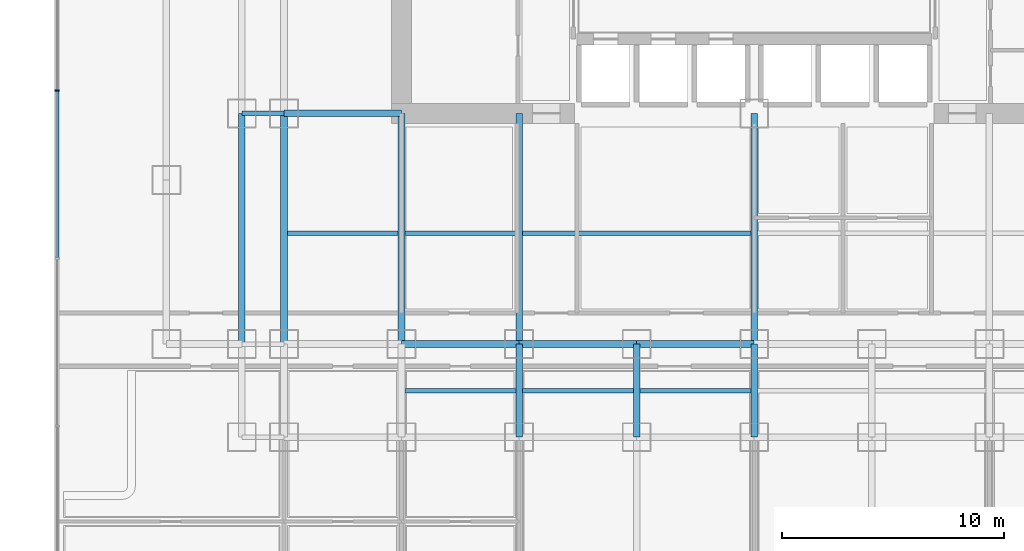
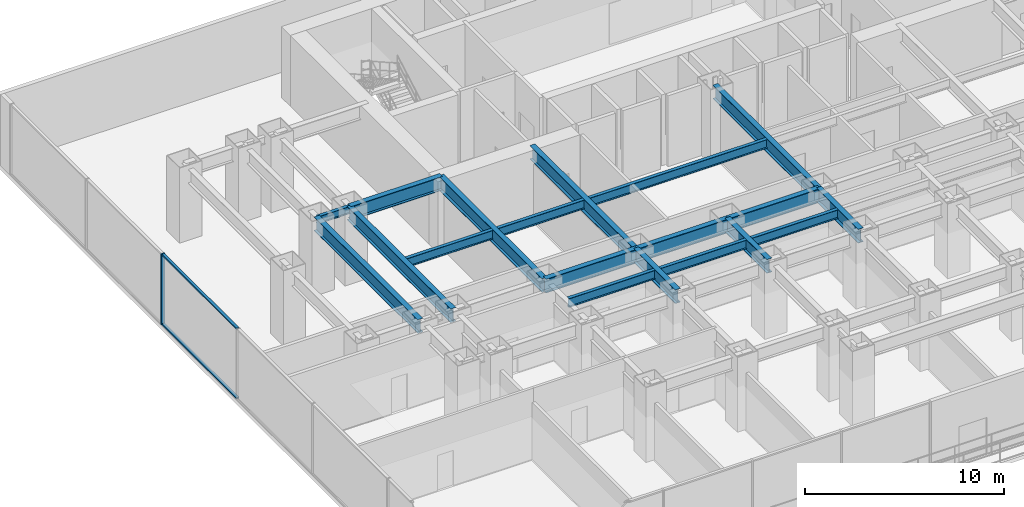
# One storey, part 3 of 13: 19 beams, 3 members, 1 element without a shape of its own.
"""IFC4 building model written with IfcOpenShell, lengths in metres."""

import ifcopenshell
import ifcopenshell.guid

model = None  # the IFC model being written
_history = None  # IfcOwnerHistory: only IFC2X3 demands one
_inside = {}  # id of a spatial element -> (the spatial element, [elements in it])
_under = {}  # id of a project, library or spatial element -> (it, [spatial elements below it])
_declared = {}  # id of a project -> (the project, [libraries it declares])
_typed = {}  # id of a type object -> (the type object, [elements of that type])
_made_of = {}  # id of a material, layer set ... -> (it, [elements and type objects made of it])


def new_model(schema):
    """Start an empty IFC model of exactly this schema.

    Asked for "IFC4X3", IfcOpenShell would pick the latest addendum, in which some entities
    have other attributes; the version numbers below select the first issue.
    IFC2X3 requires an IfcOwnerHistory on every rooted entity: one is made here for all.
    """
    global model, _history
    if schema == "IFC4X3":
        model = ifcopenshell.file(schema_version=(4, 3, 0, 0))
    else:
        model = ifcopenshell.file(schema=schema)
    _inside.clear()
    _under.clear()
    _declared.clear()
    _typed.clear()
    _made_of.clear()
    _history = None
    if model.schema == "IFC2X3":
        org = make("IfcOrganization", Name="unknown")
        user = make(
            "IfcPersonAndOrganization",
            ThePerson=make("IfcPerson", FamilyName="unknown"),
            TheOrganization=org,
        )
        app = make(
            "IfcApplication",
            ApplicationDeveloper=org,
            Version="unknown",
            ApplicationFullName="unknown",
            ApplicationIdentifier="unknown",
        )
        _history = make(
            "IfcOwnerHistory",
            OwningUser=user,
            OwningApplication=app,
            ChangeAction="ADDED",
            CreationDate=0,
        )
    return model


def make(cls, **values):
    """One entity of the class cls with the attributes given. An attribute that is None is left unset."""
    return model.create_entity(
        cls, **{name: value for name, value in values.items() if value is not None}
    )


def rooted(cls, **values):
    """An entity with a GlobalId (a new one), such as an element, a storey or a relation."""
    return make(cls, GlobalId=ifcopenshell.guid.new(), OwnerHistory=_history, **values)


def si_unit(unit_type, name, prefix=None):
    """IfcSIUnit, for example si_unit("LENGTHUNIT", "METRE", prefix="MILLI")."""
    return make("IfcSIUnit", UnitType=unit_type, Prefix=prefix, Name=name)


def assignment(units):
    """IfcUnitAssignment: the units of a project."""
    return None if units is None else make("IfcUnitAssignment", Units=units)


def point(xyz):
    """IfcCartesianPoint."""
    return None if xyz is None else make("IfcCartesianPoint", Coordinates=xyz)


def direction(xyz):
    """IfcDirection."""
    return None if xyz is None else make("IfcDirection", DirectionRatios=xyz)


def frame(location, z_axis=None, x_axis=None):
    """IfcAxis2Placement3D, a coordinate frame: its origin and axes. An axis left out is left unset."""
    return make(
        "IfcAxis2Placement3D",
        Location=point(location),
        Axis=direction(z_axis),
        RefDirection=direction(x_axis),
    )


def frame_2d(location, x_axis=None):
    """IfcAxis2Placement2D, a coordinate frame in the plane: its origin and x axis."""
    return make(
        "IfcAxis2Placement2D", Location=point(location), RefDirection=direction(x_axis)
    )


def origin():
    """The frame at (0, 0, 0) with its axes left unset."""
    return frame((0.0, 0.0, 0.0))


def origin_2d():
    """The frame at (0, 0) in the plane with its x axis left unset."""
    return frame_2d((0.0, 0.0))


def place(relative_to, where):
    """IfcLocalPlacement: puts the frame where relative to a parent placement (None: the world)."""
    return make(
        "IfcLocalPlacement", PlacementRelTo=relative_to, RelativePlacement=where
    )


def context(
    kind, dimensions, precision=None, world=None, true_north=None, identifier=None
):
    """IfcGeometricRepresentationContext, for example the 3D "Model" context."""
    return make(
        "IfcGeometricRepresentationContext",
        ContextIdentifier=identifier,
        ContextType=kind,
        CoordinateSpaceDimension=dimensions,
        Precision=precision,
        WorldCoordinateSystem=world,
        TrueNorth=true_north,
    )


def subcontext(parent, identifier, kind, view, scale=None):
    """IfcGeometricRepresentationSubContext, for example "Body" below "Model"."""
    return make(
        "IfcGeometricRepresentationSubContext",
        ContextIdentifier=identifier,
        ContextType=kind,
        ParentContext=parent,
        TargetScale=scale,
        TargetView=view,
    )


def project(units=None, contexts=None):
    """IfcProject with its units and contexts."""
    return rooted(
        "IfcProject",
        Name="project",
        RepresentationContexts=contexts,
        UnitsInContext=assignment(units),
    )


def spatial(cls, under=None, at=None, **own):
    """A site, building, storey or space (cls), placed at a placement, below another one or the project."""
    s = rooted(cls, ObjectPlacement=at, **own)
    if under is not None:
        _under.setdefault(under.id(), (under, []))[1].append(s)
    return s


def profile(cls, at=None, kind="AREA", **sizes):
    """A parametric profile (cls). Its sizes go by their IFC names, for example OverallWidth=200.0."""
    return make(cls, ProfileType=kind, Position=at, **sizes)


def rectangle(**sizes):
    """IfcRectangleProfileDef."""
    return profile("IfcRectangleProfileDef", **sizes)


def i_section(**sizes):
    """IfcIShapeProfileDef."""
    return profile("IfcIShapeProfileDef", **sizes)


def extrude(swept, where, along, depth):
    """IfcExtrudedAreaSolid: the profile swept, set in the frame where, extruded along a direction by depth."""
    return make(
        "IfcExtrudedAreaSolid",
        SweptArea=swept,
        Position=where,
        ExtrudedDirection=direction(along),
        Depth=depth,
    )


def shape(context_of_items, identifier, shape_type, items):
    """IfcShapeRepresentation: the items that make up one representation, for example the "Body"."""
    return make(
        "IfcShapeRepresentation",
        ContextOfItems=context_of_items,
        RepresentationIdentifier=identifier,
        RepresentationType=shape_type,
        Items=items,
    )


def source(mapping_origin, context_of_items, identifier, shape_type, items):
    """IfcRepresentationMap: a shape defined once, which mapped items show again and again."""
    return make(
        "IfcRepresentationMap",
        MappingOrigin=mapping_origin,
        MappedRepresentation=shape(context_of_items, identifier, shape_type, items),
    )


def transform(
    local_origin,
    x_axis=None,
    y_axis=None,
    z_axis=None,
    scale=None,
    scale2=None,
    scale3=None,
    uniform=True,
):
    """IfcCartesianTransformationOperator3D, or its non-uniform kind. x_axis, y_axis, z_axis: its Axis1, 2, 3."""
    if uniform:
        return make(
            "IfcCartesianTransformationOperator3D",
            Axis1=direction(x_axis),
            Axis2=direction(y_axis),
            LocalOrigin=point(local_origin),
            Scale=scale,
            Axis3=direction(z_axis),
        )
    return make(
        "IfcCartesianTransformationOperator3DnonUniform",
        Axis1=direction(x_axis),
        Axis2=direction(y_axis),
        LocalOrigin=point(local_origin),
        Scale=scale,
        Axis3=direction(z_axis),
        Scale2=scale2,
        Scale3=scale3,
    )


def mapped(mapping_source, mapping_target):
    """IfcMappedItem: shows the shape of a source again, moved by a transform."""
    return make(
        "IfcMappedItem", MappingSource=mapping_source, MappingTarget=mapping_target
    )


def material(Name=None, Category=None):
    """IfcMaterial."""
    return make("IfcMaterial", Name=Name, Category=Category)


def layer(
    of_material, thickness, ventilated=None, Name=None, Category=None, Priority=None
):
    """IfcMaterialLayer: one layer of a wall or slab, of a material (None: an air gap)."""
    return make(
        "IfcMaterialLayer",
        Material=of_material,
        LayerThickness=thickness,
        IsVentilated=ventilated,
        Name=Name,
        Category=Category,
        Priority=Priority,
    )


def layer_set(layers, Name=None):
    """IfcMaterialLayerSet."""
    return make("IfcMaterialLayerSet", MaterialLayers=layers, LayerSetName=Name)


def material_profile(
    of_material, cross_section, Name=None, Category=None, Priority=None
):
    """IfcMaterialProfile: a cross section and its material."""
    return make(
        "IfcMaterialProfile",
        Name=Name,
        Material=of_material,
        Profile=cross_section,
        Priority=Priority,
        Category=Category,
    )


def profile_set(profiles, Name=None, composite=None):
    """IfcMaterialProfileSet."""
    return make(
        "IfcMaterialProfileSet",
        Name=Name,
        MaterialProfiles=profiles,
        CompositeProfile=composite,
    )


def made_of(thing, what):
    """Note that an element or type object is made of a material, layer set ...; save() writes the relation."""
    if what is not None:
        _made_of.setdefault(what.id(), (what, []))[1].append(thing)
    return thing


def type_object(cls, material=None, **own):
    """A type object (cls), such as IfcWallType, which elements share."""
    return made_of(rooted(cls, **own), material)


def element(
    cls,
    number,
    at=None,
    inside=None,
    cuts=None,
    type_object=None,
    material=None,
    context=None,
    identifier="Body",
    shape_type=None,
    held_by="IfcProductDefinitionShape",
    body=None,
    shapes=None,
    **own,
):
    """One element of the class cls, such as IfcWall. Its Tag is "e" and its number.

    at: its placement. inside: the storey or other place that contains it. cuts: it is an
    opening in that element (IfcRelVoidsElement). A single representation is given by context,
    identifier, shape_type and body (its items); several are given by shapes. held_by: the class
    of the entity that holds the representations. save() writes the other relations.
    """
    e = rooted(cls, Tag="e%d" % number, ObjectPlacement=at, **own)
    if body is not None:
        shapes = [shape(context, identifier, shape_type, body)]
    if shapes is not None:
        e.Representation = make(held_by, Representations=shapes)
    if inside is not None:
        _inside.setdefault(inside.id(), (inside, []))[1].append(e)
    if cuts is not None:
        rooted(
            "IfcRelVoidsElement", RelatingBuildingElement=cuts, RelatedOpeningElement=e
        )
    if type_object is not None:
        _typed.setdefault(type_object.id(), (type_object, []))[1].append(e)
    return made_of(e, material)


def aggregate(whole, parts):
    """IfcRelAggregates: a whole, such as a stair, and the parts it consists of."""
    return rooted("IfcRelAggregates", RelatingObject=whole, RelatedObjects=parts)


def save(model, path):
    """Write the relations noted so far, then the file.

    IfcRelAggregates (storeys below a building ...), IfcRelContainedInSpatialStructure (elements
    in a storey), IfcRelDefinesByType, IfcRelAssociatesMaterial and IfcRelDeclares: one each for
    every whole, place, type object, material and project.
    """
    for whole, parts in _under.values():
        aggregate(whole, parts)
    for where, things in _inside.values():
        rooted(
            "IfcRelContainedInSpatialStructure",
            RelatedElements=things,
            RelatingStructure=where,
        )
    for kind, things in _typed.values():
        rooted("IfcRelDefinesByType", RelatedObjects=things, RelatingType=kind)
    for what, things in _made_of.values():
        rooted("IfcRelAssociatesMaterial", RelatedObjects=things, RelatingMaterial=what)
    for by, libraries in _declared.values():
        rooted("IfcRelDeclares", RelatingContext=by, RelatedDefinitions=libraries)
    model.write(path)


model = new_model("IFC4")

# Units and contexts
model_context = context("Model", 3, precision=1e-05, world=origin(), true_north=direction((0.0, 1.0)))
body_context = subcontext(model_context, "Body", "Model", "MODEL_VIEW")
ifc_project = project(units=[si_unit("LENGTHUNIT", "METRE"), si_unit("AREAUNIT", "SQUARE_METRE"), si_unit("VOLUMEUNIT", "CUBIC_METRE"), si_unit("PLANEANGLEUNIT", "RADIAN"), si_unit("MASSUNIT", "GRAM", prefix="KILO")], contexts=[model_context])

# Site, building, storey
site_placement = place(None, origin())
site = spatial("IfcSite", under=ifc_project, at=site_placement, CompositionType="ELEMENT")
building_placement = place(site_placement, origin())
building = spatial("IfcBuilding", under=site, at=building_placement, Name="Qianlan Lanfeng Residences", CompositionType="ELEMENT")
storey_placement = place(building_placement, frame((0.0, 0.0, 14.39990234375)))
storey = spatial("IfcBuildingStorey", under=building, at=storey_placement, Name="L03", CompositionType="ELEMENT", Elevation=14.39990234375)

# Beams
ifc_material_1 = material(Name="Steel SN490B", Category="steel")
ifc_material_profile_1 = material_profile(ifc_material_1, i_section(OverallWidth=0.300048828125, OverallDepth=0.85009765625, WebThickness=0.01611328125, FlangeThickness=0.031982421875, at=origin_2d()), Name="H 850x300x16x32")
ifc_profile_set_1 = profile_set([ifc_material_profile_1], Name="Steel SN490B")
beam_type_1 = type_object("IfcBeamType", Name="G-1100", PredefinedType="BEAM", material=ifc_profile_set_1)
beam_1_placement = place(storey_placement, frame((10.60009765625, 14.800048828125, 3.9150390625), z_axis=(1.0, 0.0, 0.0), x_axis=(0.0, 1.0, 0.0)))
element("IfcBeam", 1, at=beam_1_placement, inside=storey, type_object=beam_type_1, Name="Structural beam G-1100", PredefinedType="BEAM", context=body_context, shape_type="SweptSolid", body=[
    extrude(i_section(OverallWidth=0.300048828125, OverallDepth=0.85009765625, WebThickness=0.01611328125, FlangeThickness=0.031982421875, at=origin_2d()), origin(), (0.0, 0.0, 1.0), 5.2998046875),
])
for number, where, z_axis, x_axis, name in (
    (2, (15.89990234375, 14.800048828125, 3.9150390625), (1.0, 0.0, 0.0), (0.0, 1.0, 0.0), "Structural beam G-1100"),
    (3, (21.199951171875, 14.800048828125, 3.9150390625), (1.0, 0.0, 0.0), (0.0, 1.0, 0.0), "Structural beam G-1100"),
    (4, (5.300048828125, 25.199951171875, 3.9150390625), (1.0, 0.0, 0.0), (0.0, 1.0, 0.0), "Structural beam G-1100"),
):
    element("IfcBeam", number, at=place(storey_placement, frame(where, z_axis=z_axis, x_axis=x_axis)), inside=storey, type_object=beam_type_1, Name=name, PredefinedType="BEAM", context=body_context, shape_type="SweptSolid", body=[
        extrude(i_section(OverallWidth=0.300048828125, OverallDepth=0.85009765625, WebThickness=0.01611328125, FlangeThickness=0.031982421875, at=origin_2d()), origin(), (0.0, 0.0, 1.0), 5.300048828125),
    ])
for number, where, z_axis, x_axis, name in (
    (5, (3.39990234375, 14.800048828125, 3.9150390625), (0.0, 1.0, 0.0), (-1.0, 0.0, 0.0), "Structural beam G-1100"),
    (6, (5.300048828125, 14.800048828125, 3.9150390625), (0.0, 1.0, 0.0), (-1.0, 0.0, 0.0), "Structural beam G-1100"),
    (7, (10.60009765625, 14.800048828125, 3.9150390625), (0.0, 1.0, 0.0), (-1.0, 0.0, 0.0), "Structural beam G-1100"),
):
    element("IfcBeam", number, at=place(storey_placement, frame(where, z_axis=z_axis, x_axis=x_axis)), inside=storey, type_object=beam_type_1, Name=name, PredefinedType="BEAM", context=body_context, shape_type="SweptSolid", body=[
        extrude(i_section(OverallWidth=0.300048828125, OverallDepth=0.85009765625, WebThickness=0.01611328125, FlangeThickness=0.031982421875, at=origin_2d()), origin(), (0.0, 0.0, 1.0), 10.39990234375),
    ])
beam_2_placement = place(storey_placement, frame((15.89990234375, 10.60009765625, 3.9150390625), z_axis=(0.0, 1.0, 0.0), x_axis=(-1.0, 0.0, 0.0)))
element("IfcBeam", 8, at=beam_2_placement, inside=storey, type_object=beam_type_1, Name="Structural beam G-1100", PredefinedType="BEAM", context=body_context, shape_type="SweptSolid", body=[
    extrude(i_section(OverallWidth=0.300048828125, OverallDepth=0.85009765625, WebThickness=0.01611328125, FlangeThickness=0.031982421875, at=origin_2d()), origin(), (0.0, 0.0, 1.0), 4.199951171875),
])
beam_3_placement = place(storey_placement, frame((15.89990234375, 14.800048828125, 3.9150390625), z_axis=(0.0, 1.0, 0.0), x_axis=(-1.0, 0.0, 0.0)))
element("IfcBeam", 9, at=beam_3_placement, inside=storey, type_object=beam_type_1, Name="Structural beam G-1100", PredefinedType="BEAM", context=body_context, shape_type="SweptSolid", body=[
    extrude(i_section(OverallWidth=0.300048828125, OverallDepth=0.85009765625, WebThickness=0.01611328125, FlangeThickness=0.031982421875, at=origin_2d()), origin(), (0.0, 0.0, 1.0), 10.39990234375),
])
for number, where, z_axis, x_axis, name in (
    (10, (21.199951171875, 10.60009765625, 3.9150390625), (0.0, 1.0, 0.0), (-1.0, 0.0, 0.0), "Structural beam G-1100"),
    (11, (26.5, 10.60009765625, 3.9150390625), (0.0, 1.0, 0.0), (-1.0, 0.0, 0.0), "Structural beam G-1100"),
):
    element("IfcBeam", number, at=place(storey_placement, frame(where, z_axis=z_axis, x_axis=x_axis)), inside=storey, type_object=beam_type_1, Name=name, PredefinedType="BEAM", context=body_context, shape_type="SweptSolid", body=[
        extrude(i_section(OverallWidth=0.300048828125, OverallDepth=0.85009765625, WebThickness=0.01611328125, FlangeThickness=0.031982421875, at=origin_2d()), origin(), (0.0, 0.0, 1.0), 4.199951171875),
    ])
beam_4_placement = place(storey_placement, frame((26.5, 14.800048828125, 3.9150390625), z_axis=(0.0, 1.0, 0.0), x_axis=(-1.0, 0.0, 0.0)))
element("IfcBeam", 12, at=beam_4_placement, inside=storey, type_object=beam_type_1, Name="Structural beam G-1100", PredefinedType="BEAM", context=body_context, shape_type="SweptSolid", body=[
    extrude(i_section(OverallWidth=0.300048828125, OverallDepth=0.85009765625, WebThickness=0.01611328125, FlangeThickness=0.031982421875, at=origin_2d()), origin(), (0.0, 0.0, 1.0), 10.39990234375),
])
ifc_material_profile_2 = material_profile(ifc_material_1, i_section(OverallWidth=0.199951171875, OverallDepth=0.449951171875, WebThickness=0.009033203125, FlangeThickness=0.013916015625, at=origin_2d()), Name="H 450x200x9x14")
ifc_profile_set_2 = profile_set([ifc_material_profile_2], Name="Steel SN490B")
beam_type_2 = type_object("IfcBeamType", Name="J-450", PredefinedType="JOIST", material=ifc_profile_set_2)
beam_5_placement = place(storey_placement, frame((3.39990234375, 25.199951171875, 4.114990234375), z_axis=(1.0, 0.0, 0.0), x_axis=(0.0, 1.0, 0.0)))
element("IfcBeam", 13, at=beam_5_placement, inside=storey, type_object=beam_type_2, Name="Structural beam J-450", PredefinedType="JOIST", context=body_context, shape_type="SweptSolid", body=[
    extrude(i_section(OverallWidth=0.199951171875, OverallDepth=0.449951171875, WebThickness=0.009033203125, FlangeThickness=0.013916015625, at=origin_2d()), origin(), (0.0, 0.0, 1.0), 1.900146484375),
])
ifc_material_profile_3 = material_profile(ifc_material_1, i_section(OverallWidth=0.199951171875, OverallDepth=0.550048828125, WebThickness=0.010986328125, FlangeThickness=0.01806640625, at=origin_2d()), Name="H 550x200x11x18")
ifc_profile_set_3 = profile_set([ifc_material_profile_3], Name="Steel SN490B")
beam_type_3 = type_object("IfcBeamType", Name="J-550", PredefinedType="JOIST", material=ifc_profile_set_3)
for number, where, z_axis, x_axis, name in (
    (14, (10.75, 12.699951171875, 4.065185546875), (1.0, 0.0, 0.0), (0.0, 1.0, 0.0), "Structural beam J-550"),
    (15, (16.050048828125, 12.699951171875, 4.065185546875), (1.0, 0.0, 0.0), (0.0, 1.0, 0.0), "Structural beam J-550"),
    (16, (21.35009765625, 12.699951171875, 4.065185546875), (1.0, 0.0, 0.0), (0.0, 1.0, 0.0), "Structural beam J-550"),
    (17, (5.449951171875, 19.800048828125, 4.065185546875), (1.0, 0.0, 0.0), (0.0, 1.0, 0.0), "Structural beam J-550"),
    (18, (10.75, 19.800048828125, 4.065185546875), (1.0, 0.0, 0.0), (0.0, 1.0, 0.0), "Structural beam J-550"),
):
    element("IfcBeam", number, at=place(storey_placement, frame(where, z_axis=z_axis, x_axis=x_axis)), inside=storey, type_object=beam_type_3, Name=name, PredefinedType="JOIST", context=body_context, shape_type="SweptSolid", body=[
        extrude(i_section(OverallWidth=0.199951171875, OverallDepth=0.550048828125, WebThickness=0.010986328125, FlangeThickness=0.01806640625, at=origin_2d()), origin(), (0.0, 0.0, 1.0), 5.0),
    ])
beam_6_placement = place(storey_placement, frame((16.050048828125, 19.800048828125, 4.065185546875), z_axis=(1.0, 0.0, 0.0), x_axis=(0.0, 1.0, 0.0)))
element("IfcBeam", 19, at=beam_6_placement, inside=storey, type_object=beam_type_3, Name="Structural beam J-550", PredefinedType="JOIST", context=body_context, shape_type="SweptSolid", body=[
    extrude(i_section(OverallWidth=0.199951171875, OverallDepth=0.550048828125, WebThickness=0.010986328125, FlangeThickness=0.01806640625, at=origin_2d()), origin(), (0.0, 0.0, 1.0), 10.300048828125),
])

# Curtain wall, members
ifc_material_2 = material(Name="Anodised Bronze Aluminium 6063-T6", Category="aluminium")
ifc_layer = layer(ifc_material_2, 0.219970703125)
ifc_layer_set = layer_set([ifc_layer], Name="Anodised Bronze Aluminium 6063-T6")
curtain_wall_type = type_object("IfcCurtainWallType", Name="CW-01", PredefinedType="NOTDEFINED", material=ifc_layer_set)
curtain_wall_placement = place(storey_placement, origin())
curtain_wall = element("IfcCurtainWall", 20, at=curtain_wall_placement, inside=storey, type_object=curtain_wall_type, Name="L03 Unitised Curtain Wall CWR-L03-W (CW-01)", PredefinedType="NOTDEFINED")
ifc_material_profile_4 = material_profile(ifc_material_2, rectangle(XDim=0.080078125, YDim=0.2099609375, at=origin_2d()), Name="ALU MULLION 80x210")
ifc_profile_set_4 = profile_set([ifc_material_profile_4], Name="Anodised Bronze Aluminium 6063-T6")
member_type_1 = type_object("IfcMemberType", Name="CWM-220", PredefinedType="MULLION", material=ifc_profile_set_4)
shared_shape_1 = source(origin(), body_context, "Body", "SweptSolid", [
    extrude(rectangle(XDim=0.080078125, YDim=0.2099609375, at=origin_2d()), origin(), (0.0, 0.0, 1.0), 4.340087890625),
])
member_1_placement = place(storey_placement, frame((-4.929931640625, 26.2333984375, 0.0), z_axis=(0.0, 0.0, 1.0), x_axis=(0.0, -1.0, 0.0)))
member_1 = element("IfcMember", 21, at=member_1_placement, type_object=member_type_1, Name="CWR-L03-W Mullion 3", PredefinedType="MULLION", context=body_context, shape_type="MappedRepresentation", body=[
    mapped(shared_shape_1, transform((0.0, 0.0, 0.0), scale=1.0)),
])
ifc_material_profile_5 = material_profile(ifc_material_2, rectangle(XDim=0.080078125, YDim=0.159912109375, at=origin_2d()), Name="ALU TRANSOM 80x160")
ifc_profile_set_5 = profile_set([ifc_material_profile_5], Name="Anodised Bronze Aluminium 6063-T6")
member_type_2 = type_object("IfcMemberType", Name="CWT-180", PredefinedType="USERDEFINED", material=ifc_profile_set_5)
shared_shape_2 = source(origin(), body_context, "Body", "SweptSolid", [
    extrude(rectangle(XDim=0.080078125, YDim=0.159912109375, at=origin_2d()), origin(), (0.0, 0.0, 1.0), 7.4833984375),
])
member_2_placement = place(storey_placement, frame((-4.929931640625, 26.193359375, 0.0400390625), z_axis=(0.0, -1.0, 0.0), x_axis=(0.0, 0.0, 1.0)))
member_2 = element("IfcMember", 22, at=member_2_placement, type_object=member_type_2, Name="CWR-L03-W Transom 3-BOT", ObjectType="TRANSOM", PredefinedType="USERDEFINED", context=body_context, shape_type="MappedRepresentation", body=[
    mapped(shared_shape_2, transform((0.0, 0.0, 0.0), scale=1.0)),
])
member_3_placement = place(storey_placement, frame((-4.929931640625, 26.193359375, 4.300048828125), z_axis=(0.0, -1.0, 0.0), x_axis=(0.0, 0.0, 1.0)))
member_3 = element("IfcMember", 23, at=member_3_placement, type_object=member_type_2, Name="CWR-L03-W Transom 3-TOP", ObjectType="TRANSOM", PredefinedType="USERDEFINED", context=body_context, shape_type="MappedRepresentation", body=[
    mapped(shared_shape_2, transform((0.0, 0.0, 0.0), scale=1.0)),
])
aggregate(curtain_wall, [member_1, member_2, member_3])

save(model, "model.ifc")
